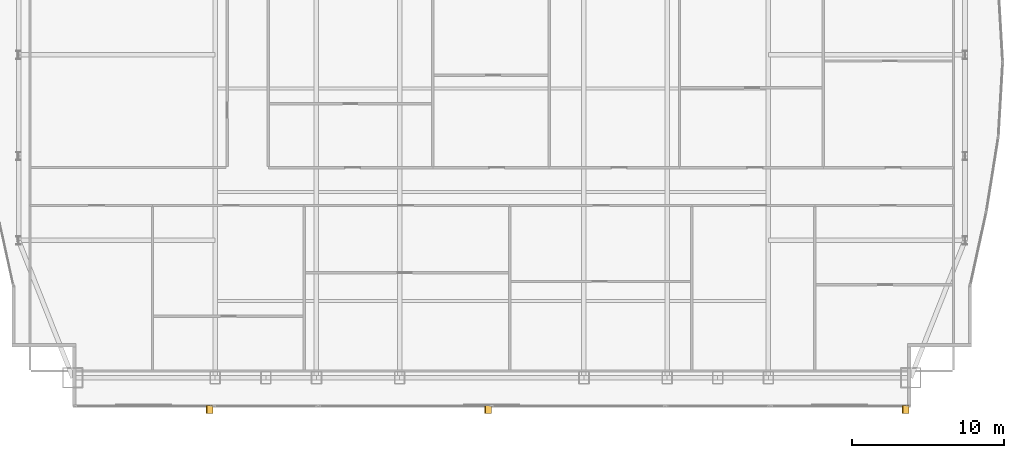
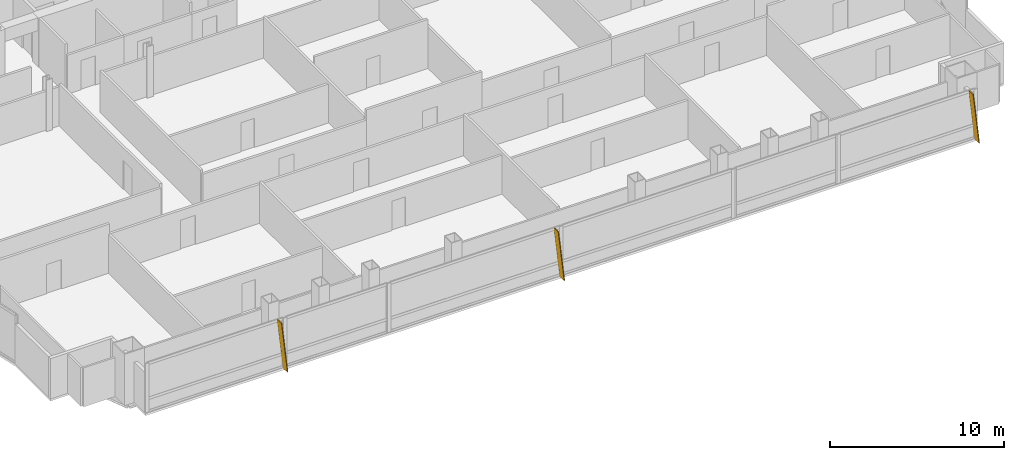
# One storey, part 28 of 29: 3 shading devices.
"""IFC4 building model written with IfcOpenShell, lengths in metres."""

from ifc_helpers import new_model, si_unit, direction, frame, origin, place, context, subcontext, project, spatial, polyline, outline, extrude, material, layer, layer_set, type_object, element, save


model = new_model("IFC4")

# Units and contexts
model_context = context("Model", 3, precision=1e-05, world=origin(), true_north=direction((0.0, 1.0)))
body_context = subcontext(model_context, "Body", "Model", "MODEL_VIEW")
ifc_project = project(units=[si_unit("LENGTHUNIT", "METRE"), si_unit("AREAUNIT", "SQUARE_METRE"), si_unit("VOLUMEUNIT", "CUBIC_METRE"), si_unit("PLANEANGLEUNIT", "RADIAN"), si_unit("MASSUNIT", "GRAM", prefix="KILO")], contexts=[model_context])

# Site, building, storey
site_placement = place(None, origin())
site = spatial("IfcSite", under=ifc_project, at=site_placement, CompositionType="ELEMENT")
building_placement = place(site_placement, origin())
building = spatial("IfcBuilding", under=site, at=building_placement, Name="Khoronbel Lancet Exchange", CompositionType="ELEMENT")
storey_placement = place(building_placement, frame((0.0, 0.0, 161.39990234375)))
storey = spatial("IfcBuildingStorey", under=building, at=storey_placement, Name="L40", CompositionType="ELEMENT", Elevation=161.39990234375)

# Shading devices
ifc_material = material(Name="Bronze-Anodised Aluminium 6063-T6", Category="aluminium")
ifc_layer = layer(ifc_material, 0.054931640625, Name="Bronze-Anodised Aluminium 6063-T6")
ifc_layer_set = layer_set([ifc_layer], Name="Bronze-Anodised Aluminium 6063-T6")
shading_device_type = type_object("IfcShadingDeviceType", Name="SHD-FIN1", PredefinedType="USERDEFINED", material=ifc_layer_set)
for number, where, z_axis, x_axis, name in (
    (1, (18.072509765625, 8.31005859375, -0.079833984375), (0.99389951861, 0.0, 0.110289378034), (0.0, -1.0, 0.0), "Slanted bronze solar fin CW-L40-SWV-1"),
    (2, (36.422607421875, 8.31005859375, -0.079833984375), (0.99389951861, 0.0, 0.110289378034), (0.0, -1.0, 0.0), "Slanted bronze solar fin CW-L40-SCV-1"),
    (3, (63.9326171875, 8.31005859375, -0.079833984375), (0.99389951861, 0.0, 0.110289378034), (0.0, -1.0, 0.0), "Slanted bronze solar fin CW-L40-SEV-1"),
):
    element("IfcShadingDevice", number, at=place(storey_placement, frame(where, z_axis=z_axis, x_axis=x_axis)), inside=storey, type_object=shading_device_type, Name=name, ObjectType="FIN", PredefinedType="USERDEFINED", context=body_context, shape_type="SweptSolid", body=[
        extrude(outline(polyline([(0.0, 0.0), (0.52001953125, 0.0), (0.52001953125, -3.58154296875), (0.0, -3.58154296875), (0.0, 0.0)])), origin(), (0.0, 0.0, -1.0), 0.054931640625),
    ])

save(model, "model.ifc")
